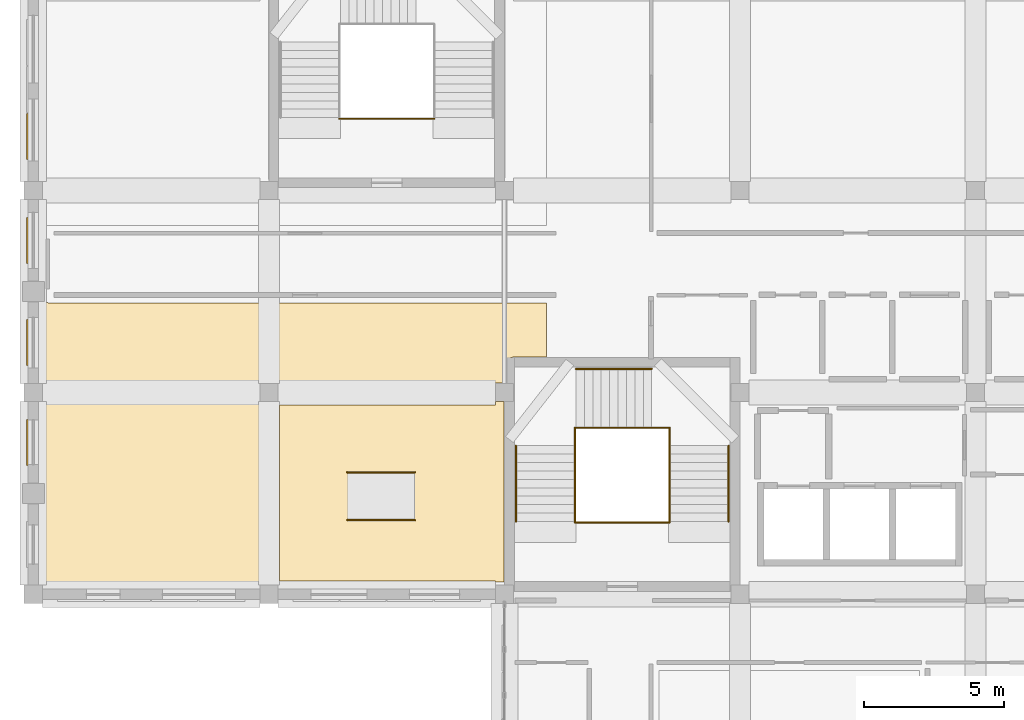
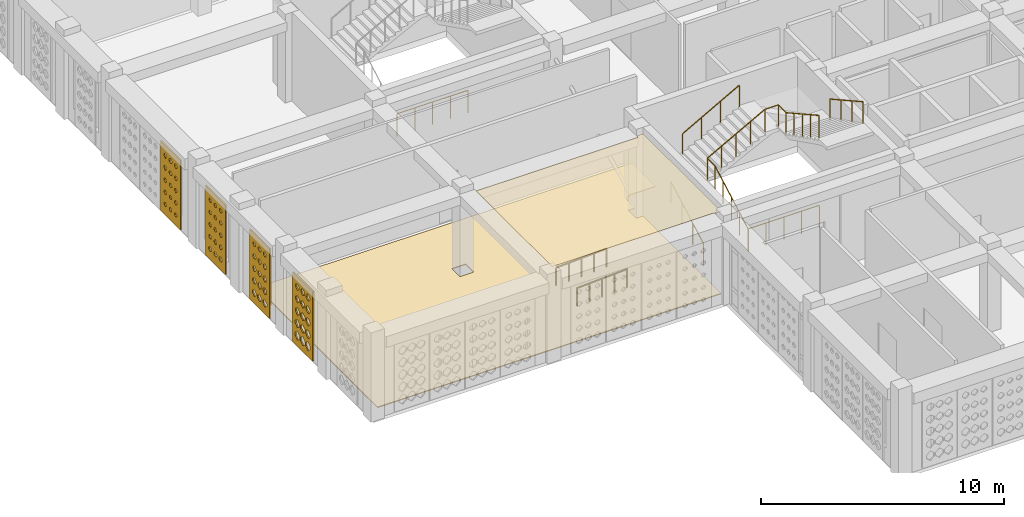
# One storey, part 55 of 79: 10 railings, 6 coverings.
"""IFC4 building model written with IfcOpenShell, lengths in metres."""

from ifc_helpers import new_model, si_unit, derived_unit, direction, frame, origin, origin_2d, place, context, subcontext, project, spatial, polyline, circle, outline, extrude, material, layer, layer_set, type_object, element, save


model = new_model("IFC4")

# Units and contexts
model_context = context("Model", 3, precision=1e-05, world=origin(), true_north=direction((0.0, 1.0)))
body_context = subcontext(model_context, "Body", "Model", "MODEL_VIEW")
ifc_project = project(units=[si_unit("LENGTHUNIT", "METRE"), si_unit("AREAUNIT", "SQUARE_METRE"), si_unit("VOLUMEUNIT", "CUBIC_METRE"), si_unit("PLANEANGLEUNIT", "RADIAN"), si_unit("MASSUNIT", "GRAM", prefix="KILO"), derived_unit("THERMALTRANSMITTANCEUNIT", [(si_unit("POWERUNIT", "WATT"), 1), (si_unit("LENGTHUNIT", "METRE"), -2), (si_unit("THERMODYNAMICTEMPERATUREUNIT", "KELVIN"), -1)])], contexts=[model_context])

# Site, building, storey
site_placement = place(None, origin())
site = spatial("IfcSite", under=ifc_project, at=site_placement, CompositionType="ELEMENT")
building_placement = place(site_placement, origin())
building = spatial("IfcBuilding", under=site, at=building_placement, Name="Veybourne Emporium", CompositionType="ELEMENT")
storey_placement = place(building_placement, frame((0.0, 0.0, 18.89990234375)))
storey = spatial("IfcBuildingStorey", under=building, at=storey_placement, Name="L04", CompositionType="ELEMENT", Elevation=18.89990234375)

# Coverings
ifc_material_1 = material(Name="Mineral Acoustic Ceiling", Category="gypsum")
ifc_layer_1 = layer(ifc_material_1, 0.02490234375)
ifc_layer_set_1 = layer_set([ifc_layer_1], Name="Mineral Acoustic Ceiling")
covering_type_1 = type_object("IfcCoveringType", Name="Ceiling_CLG-01", PredefinedType="CEILING", material=ifc_layer_set_1)
covering_1_placement = place(storey_placement, frame((0.0, 0.0, 4.155029296875)))
element("IfcCovering", 1, at=covering_1_placement, inside=storey, type_object=covering_type_1, Name="L04 coffered acoustic ceiling 03", PredefinedType="CEILING", context=body_context, shape_type="SweptSolid", body=[
    extrude(outline(polyline([(16.7900390625, 21.27001953125), (16.7900390625, 14.85009765625), (16.790283203125, 14.840087890625), (16.790283203125, 14.840087890625), (16.47509765625, 14.840087890625), (16.47509765625, 14.873046875), (8.77294921875, 14.873046875), (8.77294921875, 21.152099609375), (16.47509765625, 21.152099609375), (16.47509765625, 21.27001953125), (16.7900390625, 21.27001953125)])), origin(), (0.0, 0.0, 1.0), 0.025146484375),
])
ifc_material_2 = material(Name="Venetian Terrazzo Flooring", Category="masonry")
ifc_layer_2 = layer(ifc_material_2, 0.044921875)
ifc_layer_set_2 = layer_set([ifc_layer_2], Name="Venetian Terrazzo Flooring")
covering_type_2 = type_object("IfcCoveringType", Name="Flooring_FLR-01", PredefinedType="FLOORING", material=ifc_layer_set_2)
covering_2_placement = place(storey_placement, origin())
element("IfcCovering", 2, at=covering_2_placement, inside=storey, type_object=covering_type_2, Name="L04 floor finish 03", PredefinedType="FLOORING", context=body_context, shape_type="SweptSolid", body=[
    extrude(outline(polyline([(0.453369140625, 24.8212890625), (0.471435546875, 24.81396484375), (0.486083984375, 24.80859375), (0.5048828125, 24.802978515625), (0.520263671875, 24.799072265625), (0.53955078125, 24.795166015625), (0.554931640625, 24.79296875), (0.574462890625, 24.791015625), (0.590087890625, 24.790283203125), (0.60009765625, 24.7900390625), (18.303955078125, 24.7900390625), (18.303955078125, 22.860107421875), (17.14990234375, 22.860107421875), (17.14013671875, 22.85986328125), (17.12451171875, 22.85888671875), (17.10498046875, 22.857177734375), (17.089599609375, 22.854736328125), (17.070068359375, 22.850830078125), (17.054931640625, 22.84716796875), (17.0361328125, 22.84130859375), (17.021484375, 22.836181640625), (17.003173828125, 22.82861328125), (16.989013671875, 22.822021484375), (16.9716796875, 22.812744140625), (16.958251953125, 22.8046875), (16.94189453125, 22.793701171875), (16.92919921875, 22.7841796875), (16.914306640625, 22.77197265625), (16.902587890625, 22.761474609375), (16.888671875, 22.747314453125), (16.878173828125, 22.73583984375), (16.86572265625, 22.720703125), (16.8564453125, 22.7080078125), (16.845458984375, 22.691650390625), (16.83740234375, 22.67822265625), (16.828125, 22.660888671875), (16.8212890625, 22.646728515625), (16.81396484375, 22.628662109375), (16.80859375, 22.61376953125), (16.802978515625, 22.594970703125), (16.799072265625, 22.579833984375), (16.795166015625, 22.560546875), (16.79296875, 22.544921875), (16.791015625, 22.525390625), (16.790283203125, 22.509765625), (16.7900390625, 22.5), (16.7900390625, 21.929931640625), (16.469970703125, 21.929931640625), (16.469970703125, 21.27001953125), (16.7900390625, 21.27001953125), (16.7900390625, 14.85009765625), (16.790283203125, 14.840087890625), (16.790283203125, 14.840087890625), (0.43994140625, 14.840087890625), (0.43994140625, 24.82763671875), (0.453369140625, 24.8212890625)]), holes=[polyline([(8.070068359375, 21.929931640625), (8.070068359375, 21.27001953125), (8.72998046875, 21.27001953125), (8.72998046875, 21.929931640625), (8.070068359375, 21.929931640625)])]), origin(), (0.0, 0.0, 1.0), 0.045166015625),
])

# Railings
ifc_material_3 = material(Name="Brushed Stainless Steel", Category="steel")
railing_type_1 = type_object("IfcRailingType", Name="Guard_GR-01", PredefinedType="GUARDRAIL", material=ifc_material_3)
railing_1_placement = place(storey_placement, frame((19.31005859375, 17.0, 0.0)))
element("IfcRailing", 3, at=railing_1_placement, inside=storey, type_object=railing_type_1, Name="L04 ST-01 stair guard 1", PredefinedType="GUARDRAIL", context=body_context, shape_type="SweptSolid", body=[
    extrude(circle(Radius=0.02392578125, at=origin_2d()), frame((0.0, 0.0, 1.1259765625), z_axis=(0.0, 0.87415354758, 0.485649642493), x_axis=(-1.0, 0.0, 0.0)), (0.0, 0.0, 1.0), 3.088623046875),
    extrude(circle(Radius=0.02392578125, at=origin_2d()), frame((0.0, 2.699951171875, 2.6259765625), z_axis=(0.0, 1.0, 0.0), x_axis=(-1.0, 0.0, 0.0)), (0.0, 0.0, 1.0), 0.64013671875),
    extrude(circle(Radius=0.02099609375, at=origin_2d()), origin(), (0.0, 0.0, 1.0), 1.101806640625),
    extrude(circle(Radius=0.02099609375, at=origin_2d()), frame((0.0, 0.675048828125, 0.375)), (0.0, 0.0, 1.0), 1.101806640625),
    extrude(circle(Radius=0.02099609375, at=origin_2d()), frame((0.0, 1.35009765625, 0.75)), (0.0, 0.0, 1.0), 1.101806640625),
    extrude(circle(Radius=0.02099609375, at=origin_2d()), frame((0.0, 2.02490234375, 1.125)), (0.0, 0.0, 1.0), 1.101806640625),
    extrude(circle(Radius=0.02099609375, at=origin_2d()), frame((0.0, 2.699951171875, 1.5)), (0.0, 0.0, 1.0), 1.101806640625),
    extrude(circle(Radius=0.02099609375, at=origin_2d()), frame((0.0, 3.340087890625, 1.5)), (0.0, 0.0, 1.0), 1.101806640625),
])
railing_2_placement = place(storey_placement, frame((19.31005859375, 20.340087890625, 1.5)))
element("IfcRailing", 4, at=railing_2_placement, inside=storey, type_object=railing_type_1, Name="L04 ST-01 stair guard 2", PredefinedType="GUARDRAIL", context=body_context, shape_type="SweptSolid", body=[
    extrude(circle(Radius=0.02392578125, at=origin_2d()), frame((0.0, 0.0, 1.1259765625), z_axis=(0.87715976088, 0.0, 0.480198660861), x_axis=(0.0, 1.0, 0.0)), (0.0, 0.0, 1.0), 3.123779296875),
    extrude(circle(Radius=0.02392578125, at=origin_2d()), frame((2.739990234375, 0.0, 2.6259765625), z_axis=(1.0, 0.0, 0.0), x_axis=(0.0, 1.0, 0.0)), (0.0, 0.0, 1.0), 0.639892578125),
    extrude(circle(Radius=0.02099609375, at=origin_2d()), origin(), (0.0, 0.0, 1.0), 1.101806640625),
    extrude(circle(Radius=0.02099609375, at=origin_2d()), frame((0.68505859375, 0.0, 0.375)), (0.0, 0.0, 1.0), 1.101806640625),
    extrude(circle(Radius=0.02099609375, at=origin_2d()), frame((1.3701171875, 0.0, 0.75)), (0.0, 0.0, 1.0), 1.101806640625),
    extrude(circle(Radius=0.02099609375, at=origin_2d()), frame((2.054931640625, 0.0, 1.125)), (0.0, 0.0, 1.0), 1.101806640625),
    extrude(circle(Radius=0.02099609375, at=origin_2d()), frame((2.739990234375, 0.0, 1.5)), (0.0, 0.0, 1.0), 1.101806640625),
    extrude(circle(Radius=0.02099609375, at=origin_2d()), frame((3.3798828125, 0.0, 1.5)), (0.0, 0.0, 1.0), 1.101806640625),
])
railing_3_placement = place(storey_placement, frame((22.68994140625, 20.340087890625, 3.0)))
element("IfcRailing", 5, at=railing_3_placement, inside=storey, type_object=railing_type_1, Name="L04 ST-01 stair guard 3", PredefinedType="GUARDRAIL", context=body_context, shape_type="SweptSolid", body=[
    extrude(circle(Radius=0.02392578125, at=origin_2d()), frame((0.0, 0.0, 1.1259765625), z_axis=(0.0, -1.0, 0.0), x_axis=(1.0, 0.0, 0.0)), (0.0, 0.0, 1.0), 0.64013671875),
    extrude(circle(Radius=0.02392578125, at=origin_2d()), frame((0.0, -0.64013671875, 1.1259765625), z_axis=(0.0, -0.87415354758, 0.485649642493), x_axis=(1.0, 0.0, 0.0)), (0.0, 0.0, 1.0), 3.088623046875),
    extrude(circle(Radius=0.02099609375, at=origin_2d()), origin(), (0.0, 0.0, 1.0), 1.101806640625),
    extrude(circle(Radius=0.02099609375, at=origin_2d()), frame((0.0, -0.64013671875, 0.0)), (0.0, 0.0, 1.0), 1.101806640625),
    extrude(circle(Radius=0.02099609375, at=origin_2d()), frame((0.0, -1.315185546875, 0.375)), (0.0, 0.0, 1.0), 1.101806640625),
    extrude(circle(Radius=0.02099609375, at=origin_2d()), frame((0.0, -1.990234375, 0.75)), (0.0, 0.0, 1.0), 1.101806640625),
    extrude(circle(Radius=0.02099609375, at=origin_2d()), frame((0.0, -2.6650390625, 1.125)), (0.0, 0.0, 1.0), 1.101806640625),
    extrude(circle(Radius=0.02099609375, at=origin_2d()), frame((0.0, -3.340087890625, 1.5)), (0.0, 0.0, 1.0), 1.101806640625),
])
railing_4_placement = place(storey_placement, frame((19.31005859375, 16.9599609375, 0.0)))
element("IfcRailing", 6, at=railing_4_placement, inside=storey, type_object=railing_type_1, Name="L04 ST-01 stair guard 4", PredefinedType="GUARDRAIL", context=body_context, shape_type="SweptSolid", body=[
    extrude(circle(Radius=0.02392578125, at=origin_2d()), frame((0.0, 0.0, 1.1259765625), z_axis=(1.0, 0.0, 0.0), x_axis=(0.0, 1.0, 0.0)), (0.0, 0.0, 1.0), 3.3798828125),
    extrude(circle(Radius=0.02099609375, at=origin_2d()), origin(), (0.0, 0.0, 1.0), 1.101806640625),
    extrude(circle(Radius=0.02099609375, at=origin_2d()), frame((0.844970703125, 0.0, 0.0)), (0.0, 0.0, 1.0), 1.101806640625),
    extrude(circle(Radius=0.02099609375, at=origin_2d()), frame((1.68994140625, 0.0, 0.0)), (0.0, 0.0, 1.0), 1.101806640625),
    extrude(circle(Radius=0.02099609375, at=origin_2d()), frame((2.534912109375, 0.0, 0.0)), (0.0, 0.0, 1.0), 1.101806640625),
    extrude(circle(Radius=0.02099609375, at=origin_2d()), frame((3.3798828125, 0.0, 0.0)), (0.0, 0.0, 1.0), 1.101806640625),
])
railing_5_placement = place(storey_placement, frame((10.909912109375, 31.360107421875, 0.0)))
element("IfcRailing", 7, at=railing_5_placement, inside=storey, type_object=railing_type_1, Name="L04 ST-02 stair guard 4", PredefinedType="GUARDRAIL", context=body_context, shape_type="SweptSolid", body=[
    extrude(circle(Radius=0.02392578125, at=origin_2d()), frame((0.0, 0.0, 1.1259765625), z_axis=(1.0, 0.0, 0.0), x_axis=(0.0, 1.0, 0.0)), (0.0, 0.0, 1.0), 3.380126953125),
    extrude(circle(Radius=0.02099609375, at=origin_2d()), origin(), (0.0, 0.0, 1.0), 1.101806640625),
    extrude(circle(Radius=0.02099609375, at=origin_2d()), frame((0.844970703125, 0.0, 0.0)), (0.0, 0.0, 1.0), 1.101806640625),
    extrude(circle(Radius=0.02099609375, at=origin_2d()), frame((1.68994140625, 0.0, 0.0)), (0.0, 0.0, 1.0), 1.101806640625),
    extrude(circle(Radius=0.02099609375, at=origin_2d()), frame((2.53515625, 0.0, 0.0)), (0.0, 0.0, 1.0), 1.101806640625),
    extrude(circle(Radius=0.02099609375, at=origin_2d()), frame((3.380126953125, 0.0, 0.0)), (0.0, 0.0, 1.0), 1.101806640625),
])
railing_type_2 = type_object("IfcRailingType", Name="Handrail_HR-01", PredefinedType="HANDRAIL", material=ifc_material_3)
railing_6_placement = place(storey_placement, frame((17.2099609375, 17.0, 0.150146484375)))
element("IfcRailing", 8, at=railing_6_placement, inside=storey, type_object=railing_type_2, Name="L04 ST-01 pitch handrail 1", PredefinedType="HANDRAIL", context=body_context, shape_type="SweptSolid", body=[
    extrude(circle(Radius=0.02392578125, at=origin_2d()), frame((0.0, 0.0, 0.92578125), z_axis=(0.0, 0.87415354758, 0.485649642493), x_axis=(-1.0, 0.0, 0.0)), (0.0, 0.0, 1.0), 3.088623046875),
    extrude(circle(Radius=0.02099609375, at=origin_2d()), frame((0.0, 0.0, -0.14990234375)), (0.0, 0.0, 1.0), 1.0517578125),
    extrude(circle(Radius=0.02099609375, at=origin_2d()), frame((0.0, 0.89990234375, 0.35009765625)), (0.0, 0.0, 1.0), 1.0517578125),
    extrude(circle(Radius=0.02099609375, at=origin_2d()), frame((0.0, 1.800048828125, 0.85009765625)), (0.0, 0.0, 1.0), 1.0517578125),
    extrude(circle(Radius=0.02099609375, at=origin_2d()), frame((0.0, 2.699951171875, 1.35009765625)), (0.0, 0.0, 1.0), 1.0517578125),
])
railing_7_placement = place(storey_placement, frame((19.35009765625, 22.43994140625, 1.650146484375)))
element("IfcRailing", 9, at=railing_7_placement, inside=storey, type_object=railing_type_2, Name="L04 ST-01 pitch handrail 2", PredefinedType="HANDRAIL", context=body_context, shape_type="SweptSolid", body=[
    extrude(circle(Radius=0.02392578125, at=origin_2d()), frame((0.0, 0.0, 0.92578125), z_axis=(0.87415354758, 0.0, 0.485649642493), x_axis=(0.0, 1.0, 0.0)), (0.0, 0.0, 1.0), 3.088623046875),
    extrude(circle(Radius=0.02099609375, at=origin_2d()), frame((0.0, 0.0, -0.14990234375)), (0.0, 0.0, 1.0), 1.0517578125),
    extrude(circle(Radius=0.02099609375, at=origin_2d()), frame((0.89990234375, 0.0, 0.35009765625)), (0.0, 0.0, 1.0), 1.0517578125),
    extrude(circle(Radius=0.02099609375, at=origin_2d()), frame((1.800048828125, 0.0, 0.85009765625)), (0.0, 0.0, 1.0), 1.0517578125),
    extrude(circle(Radius=0.02099609375, at=origin_2d()), frame((2.699951171875, 0.0, 1.35009765625)), (0.0, 0.0, 1.0), 1.0517578125),
])
railing_8_placement = place(storey_placement, frame((24.7900390625, 19.699951171875, 3.150146484375)))
element("IfcRailing", 10, at=railing_8_placement, inside=storey, type_object=railing_type_2, Name="L04 ST-01 pitch handrail 3", PredefinedType="HANDRAIL", context=body_context, shape_type="SweptSolid", body=[
    extrude(circle(Radius=0.02392578125, at=origin_2d()), frame((0.0, 0.0, 0.92578125), z_axis=(0.0, -0.87415354758, 0.485649642493), x_axis=(1.0, 0.0, 0.0)), (0.0, 0.0, 1.0), 3.088623046875),
    extrude(circle(Radius=0.02099609375, at=origin_2d()), frame((0.0, 0.0, -0.14990234375)), (0.0, 0.0, 1.0), 1.0517578125),
    extrude(circle(Radius=0.02099609375, at=origin_2d()), frame((0.0, -0.89990234375, 0.35009765625)), (0.0, 0.0, 1.0), 1.0517578125),
    extrude(circle(Radius=0.02099609375, at=origin_2d()), frame((0.0, -1.800048828125, 0.85009765625)), (0.0, 0.0, 1.0), 1.0517578125),
    extrude(circle(Radius=0.02099609375, at=origin_2d()), frame((0.0, -2.699951171875, 1.35009765625)), (0.0, 0.0, 1.0), 1.0517578125),
])
for number, where, name in (
    (11, (11.199951171875, 17.050048828125, 0.0), "Ramp RMP-06 handrail 1"),
    (12, (11.199951171875, 18.75, 0.0), "Ramp RMP-06 handrail 2"),
):
    element("IfcRailing", number, at=place(storey_placement, frame(where)), inside=storey, type_object=railing_type_2, Name=name, PredefinedType="HANDRAIL", context=body_context, shape_type="SweptSolid", body=[
        extrude(circle(Radius=0.02392578125, at=origin_2d()), frame((0.0, 0.0, 0.92578125), z_axis=(0.998750057719, 0.0, 0.049983219245), x_axis=(0.0, 1.0, 0.0)), (0.0, 0.0, 1.0), 2.403076171875),
        extrude(circle(Radius=0.02099609375, at=origin_2d()), origin(), (0.0, 0.0, 1.0), 0.90185546875),
        extrude(circle(Radius=0.02099609375, at=origin_2d()), frame((0.60009765625, 0.0, 0.030029296875)), (0.0, 0.0, 1.0), 0.90185546875),
        extrude(circle(Radius=0.02099609375, at=origin_2d()), frame((1.2001953125, 0.0, 0.06005859375)), (0.0, 0.0, 1.0), 0.90185546875),
        extrude(circle(Radius=0.02099609375, at=origin_2d()), frame((1.800048828125, 0.0, 0.090087890625)), (0.0, 0.0, 1.0), 0.90185546875),
        extrude(circle(Radius=0.02099609375, at=origin_2d()), frame((2.400146484375, 0.0, 0.1201171875)), (0.0, 0.0, 1.0), 0.90185546875),
    ])

# Coverings
ifc_material_4 = material(Name="Warm-White Perforated Aluminium Screen Alloy", Category="aluminium")
ifc_layer_3 = layer(ifc_material_4, 0.06005859375)
ifc_layer_set_3 = layer_set([ifc_layer_3], Name="Warm-White Perforated Aluminium Screen Alloy")
covering_type_3 = type_object("IfcCoveringType", Name="WaveScreen_SCR-01", PredefinedType="CLADDING", material=ifc_layer_set_3)
covering_3_placement = place(storey_placement, frame((-0.248046875, 23.37744140625, 1.815185546875), z_axis=(1.0, 0.0, 0.0), x_axis=(0.0, 1.0, 0.0)))
element("IfcCovering", 13, at=covering_3_placement, inside=storey, type_object=covering_type_3, Name="L04 wave-perforated aluminium screen SCR-01 (3A.1)", PredefinedType="CLADDING", context=body_context, shape_type="SweptSolid", body=[
    extrude(outline(polyline([(-0.81982421875, -1.7548828125), (0.81982421875, -1.7548828125), (0.81982421875, 1.7548828125), (-0.81982421875, 1.7548828125), (-0.81982421875, -1.7548828125)]), holes=[polyline([(-0.433349609375, -1.045654296875), (-0.274169921875, -1.162353515625), (-0.274169921875, -1.293701171875), (-0.433349609375, -1.410400390625), (-0.592529296875, -1.293701171875), (-0.592529296875, -1.162353515625), (-0.433349609375, -1.045654296875)]), polyline([(-0.433349609375, -0.4453125), (-0.285400390625, -0.55322265625), (-0.285400390625, -0.6748046875), (-0.433349609375, -0.78271484375), (-0.581298828125, -0.6748046875), (-0.581298828125, -0.55322265625), (-0.433349609375, -0.4453125)]), polyline([(-0.433349609375, 0.155517578125), (-0.296142578125, 0.055908203125), (-0.296142578125, -0.055908203125), (-0.433349609375, -0.155517578125), (-0.570556640625, -0.055908203125), (-0.570556640625, 0.055908203125), (-0.433349609375, 0.155517578125)]), polyline([(-0.433349609375, 0.75732421875), (-0.305908203125, 0.66552734375), (-0.305908203125, 0.5625), (-0.433349609375, 0.470703125), (-0.560546875, 0.5625), (-0.560546875, 0.66552734375), (-0.433349609375, 0.75732421875)]), polyline([(-0.433349609375, 1.360595703125), (-0.314697265625, 1.27587890625), (-0.314697265625, 1.18017578125), (-0.433349609375, 1.09521484375), (-0.552001953125, 1.18017578125), (-0.552001953125, 1.27587890625), (-0.433349609375, 1.360595703125)]), polyline([(0.0, -1.052001953125), (0.154052734375, -1.16455078125), (0.154052734375, -1.29150390625), (0.0, -1.404052734375), (-0.154052734375, -1.29150390625), (-0.154052734375, -1.16455078125), (0.0, -1.052001953125)]), polyline([(0.0, -0.451416015625), (0.14306640625, -0.555419921875), (0.14306640625, -0.672607421875), (0.0, -0.776611328125), (-0.14306640625, -0.672607421875), (-0.14306640625, -0.555419921875), (0.0, -0.451416015625)]), polyline([(0.0, 0.14990234375), (0.132568359375, 0.053955078125), (0.132568359375, -0.053955078125), (0.0, -0.14990234375), (-0.132568359375, -0.053955078125), (-0.132568359375, 0.053955078125), (0.0, 0.14990234375)]), polyline([(0.0, 0.752197265625), (0.123291015625, 0.663818359375), (0.123291015625, 0.564208984375), (0.0, 0.4755859375), (-0.123291015625, 0.564208984375), (-0.123291015625, 0.663818359375), (0.0, 0.752197265625)]), polyline([(0.0, 1.3564453125), (0.114990234375, 1.2744140625), (0.114990234375, 1.181640625), (0.0, 1.099609375), (-0.114990234375, 1.181640625), (-0.114990234375, 1.2744140625), (0.0, 1.3564453125)]), polyline([(0.433349609375, -1.05810546875), (0.582275390625, -1.1669921875), (0.582275390625, -1.2890625), (0.433349609375, -1.397705078125), (0.284423828125, -1.2890625), (0.284423828125, -1.1669921875), (0.433349609375, -1.05810546875)]), polyline([(0.433349609375, -0.45751953125), (0.571533203125, -0.5576171875), (0.571533203125, -0.67041015625), (0.433349609375, -0.7705078125), (0.295166015625, -0.67041015625), (0.295166015625, -0.5576171875), (0.433349609375, -0.45751953125)]), polyline([(0.433349609375, 0.144287109375), (0.5615234375, 0.052001953125), (0.5615234375, -0.052001953125), (0.433349609375, -0.144287109375), (0.30517578125, -0.052001953125), (0.30517578125, 0.052001953125), (0.433349609375, 0.144287109375)]), polyline([(0.433349609375, 0.747802734375), (0.552734375, 0.662109375), (0.552734375, 0.56591796875), (0.433349609375, 0.480224609375), (0.31396484375, 0.56591796875), (0.31396484375, 0.662109375), (0.433349609375, 0.747802734375)]), polyline([(0.433349609375, 1.3525390625), (0.54541015625, 1.27294921875), (0.54541015625, 1.18310546875), (0.433349609375, 1.103515625), (0.3212890625, 1.18310546875), (0.3212890625, 1.27294921875), (0.433349609375, 1.3525390625)])]), origin(), (0.0, 0.0, 1.0), 0.06005859375),
])
covering_4_placement = place(storey_placement, frame((-0.248046875, 27.0224609375, 1.815185546875), z_axis=(1.0, 0.0, 0.0), x_axis=(0.0, 1.0, 0.0)))
element("IfcCovering", 14, at=covering_4_placement, inside=storey, type_object=covering_type_3, Name="L04 wave-perforated aluminium screen SCR-01 (3B.1)", PredefinedType="CLADDING", context=body_context, shape_type="SweptSolid", body=[
    extrude(outline(polyline([(-0.81982421875, -1.7548828125), (0.81982421875, -1.7548828125), (0.81982421875, 1.7548828125), (-0.81982421875, 1.7548828125), (-0.81982421875, -1.7548828125)]), holes=[polyline([(-0.433349609375, -1.093505859375), (-0.313232421875, -1.1796875), (-0.313232421875, -1.2763671875), (-0.433349609375, -1.362548828125), (-0.553466796875, -1.2763671875), (-0.553466796875, -1.1796875), (-0.433349609375, -1.093505859375)]), polyline([(-0.433349609375, -0.488525390625), (-0.32080078125, -0.56884765625), (-0.32080078125, -0.6591796875), (-0.433349609375, -0.739501953125), (-0.5458984375, -0.6591796875), (-0.5458984375, -0.56884765625), (-0.433349609375, -0.488525390625)]), polyline([(-0.433349609375, 0.1181640625), (-0.32666015625, 0.04248046875), (-0.32666015625, -0.04248046875), (-0.433349609375, -0.1181640625), (-0.5400390625, -0.04248046875), (-0.5400390625, 0.04248046875), (-0.433349609375, 0.1181640625)]), polyline([(-0.433349609375, 0.72705078125), (-0.330810546875, 0.65478515625), (-0.330810546875, 0.5732421875), (-0.433349609375, 0.5009765625), (-0.535888671875, 0.5732421875), (-0.535888671875, 0.65478515625), (-0.433349609375, 0.72705078125)]), polyline([(-0.433349609375, 1.33837890625), (-0.3330078125, 1.267822265625), (-0.3330078125, 1.188232421875), (-0.433349609375, 1.117431640625), (-0.53369140625, 1.188232421875), (-0.53369140625, 1.267822265625), (-0.433349609375, 1.33837890625)]), polyline([(0.0, -1.097900390625), (0.116455078125, -1.18115234375), (0.116455078125, -1.27490234375), (0.0, -1.358154296875), (-0.116455078125, -1.27490234375), (-0.116455078125, -1.18115234375), (0.0, -1.097900390625)]), polyline([(0.0, -0.4921875), (0.109619140625, -0.570068359375), (0.109619140625, -0.657958984375), (0.0, -0.73583984375), (-0.109619140625, -0.657958984375), (-0.109619140625, -0.570068359375), (0.0, -0.4921875)]), polyline([(0.0, 0.115478515625), (0.1044921875, 0.04150390625), (0.1044921875, -0.04150390625), (0.0, -0.115478515625), (-0.1044921875, -0.04150390625), (-0.1044921875, 0.04150390625), (0.0, 0.115478515625)]), polyline([(0.0, 0.7255859375), (0.101318359375, 0.654296875), (0.101318359375, 0.57373046875), (0.0, 0.50244140625), (-0.101318359375, 0.57373046875), (-0.101318359375, 0.654296875), (0.0, 0.7255859375)]), polyline([(0.0, 1.337890625), (0.10009765625, 1.267578125), (0.10009765625, 1.1884765625), (0.0, 1.117919921875), (-0.10009765625, 1.1884765625), (-0.10009765625, 1.267578125), (0.0, 1.337890625)]), polyline([(0.433349609375, -1.101806640625), (0.54638671875, -1.1826171875), (0.54638671875, -1.2734375), (0.433349609375, -1.354248046875), (0.320068359375, -1.2734375), (0.320068359375, -1.1826171875), (0.433349609375, -1.101806640625)]), polyline([(0.433349609375, -0.495361328125), (0.54052734375, -0.5712890625), (0.54052734375, -0.65673828125), (0.433349609375, -0.732666015625), (0.326171875, -0.65673828125), (0.326171875, -0.5712890625), (0.433349609375, -0.495361328125)]), polyline([(0.433349609375, 0.113525390625), (0.5361328125, 0.041015625), (0.5361328125, -0.041015625), (0.433349609375, -0.113525390625), (0.33056640625, -0.041015625), (0.33056640625, 0.041015625), (0.433349609375, 0.113525390625)]), polyline([(0.433349609375, 0.724609375), (0.53369140625, 0.65380859375), (0.53369140625, 0.57421875), (0.433349609375, 0.50341796875), (0.332763671875, 0.57421875), (0.332763671875, 0.65380859375), (0.433349609375, 0.724609375)]), polyline([(0.433349609375, 1.338134765625), (0.533447265625, 1.267578125), (0.533447265625, 1.1884765625), (0.433349609375, 1.117919921875), (0.333251953125, 1.1884765625), (0.333251953125, 1.267578125), (0.433349609375, 1.338134765625)])]), origin(), (0.0, 0.0, 1.0), 0.06005859375),
])
ifc_layer_4 = layer(ifc_material_4, 0.06005859375)
ifc_layer_set_4 = layer_set([ifc_layer_4], Name="Warm-White Perforated Aluminium Screen Alloy")
covering_type_4 = type_object("IfcCoveringType", Name="WaveScreen_SCR-02", PredefinedType="CLADDING", material=ifc_layer_set_4)
covering_5_placement = place(storey_placement, frame((-0.248046875, 30.719970703125, 1.815185546875), z_axis=(1.0, 0.0, 0.0), x_axis=(0.0, 1.0, 0.0)))
element("IfcCovering", 15, at=covering_5_placement, inside=storey, type_object=covering_type_4, Name="L04 wave-perforated aluminium screen SCR-02 (4.1)", PredefinedType="CLADDING", context=body_context, shape_type="SweptSolid", body=[
    extrude(outline(polyline([(-0.81982421875, -1.7548828125), (0.81982421875, -1.7548828125), (0.81982421875, 1.7548828125), (-0.81982421875, 1.7548828125), (-0.81982421875, -1.7548828125)]), holes=[polyline([(-0.433349609375, -1.1171875), (-0.332763671875, -1.188232421875), (-0.332763671875, -1.267822265625), (-0.433349609375, -1.338623046875), (-0.533935546875, -1.267822265625), (-0.533935546875, -1.188232421875), (-0.433349609375, -1.1171875)]), polyline([(-0.433349609375, -0.50390625), (-0.333251953125, -0.574462890625), (-0.333251953125, -0.653564453125), (-0.433349609375, -0.72412109375), (-0.533447265625, -0.653564453125), (-0.533447265625, -0.574462890625), (-0.433349609375, -0.50390625)]), polyline([(-0.433349609375, 0.11181640625), (-0.331787109375, 0.040283203125), (-0.331787109375, -0.040283203125), (-0.433349609375, -0.11181640625), (-0.534912109375, -0.040283203125), (-0.534912109375, 0.040283203125), (-0.433349609375, 0.11181640625)]), polyline([(-0.433349609375, 0.730224609375), (-0.328369140625, 0.65576171875), (-0.328369140625, 0.572265625), (-0.433349609375, 0.497802734375), (-0.538330078125, 0.572265625), (-0.538330078125, 0.65576171875), (-0.433349609375, 0.730224609375)]), polyline([(-0.433349609375, 1.3505859375), (-0.322998046875, 1.272216796875), (-0.322998046875, 1.183837890625), (-0.433349609375, 1.10546875), (-0.543701171875, 1.183837890625), (-0.543701171875, 1.272216796875), (-0.433349609375, 1.3505859375)]), polyline([(0.0, -1.117919921875), (0.10009765625, -1.1884765625), (0.10009765625, -1.267578125), (0.0, -1.338134765625), (-0.10009765625, -1.267578125), (-0.10009765625, -1.1884765625), (0.0, -1.117919921875)]), polyline([(0.0, -0.50341796875), (0.1005859375, -0.57421875), (0.1005859375, -0.65380859375), (0.0, -0.724609375), (-0.1005859375, -0.65380859375), (-0.1005859375, -0.57421875), (0.0, -0.50341796875)]), polyline([(0.0, 0.113525390625), (0.102783203125, 0.041015625), (0.102783203125, -0.041015625), (0.0, -0.113525390625), (-0.102783203125, -0.041015625), (-0.102783203125, 0.041015625), (0.0, 0.113525390625)]), polyline([(0.0, 0.73291015625), (0.107177734375, 0.65673828125), (0.107177734375, 0.5712890625), (0.0, 0.4951171875), (-0.107177734375, 0.5712890625), (-0.107177734375, 0.65673828125), (0.0, 0.73291015625)]), polyline([(0.0, 1.354248046875), (0.11328125, 1.2734375), (0.11328125, 1.1826171875), (0.0, 1.101806640625), (-0.11328125, 1.1826171875), (-0.11328125, 1.2734375), (0.0, 1.354248046875)]), polyline([(0.433349609375, -1.117919921875), (0.533447265625, -1.1884765625), (0.533447265625, -1.267578125), (0.433349609375, -1.337890625), (0.333251953125, -1.267578125), (0.333251953125, -1.1884765625), (0.433349609375, -1.117919921875)]), polyline([(0.433349609375, -0.502197265625), (0.53466796875, -0.57373046875), (0.53466796875, -0.654296875), (0.433349609375, -0.7255859375), (0.33203125, -0.654296875), (0.33203125, -0.57373046875), (0.433349609375, -0.502197265625)]), polyline([(0.433349609375, 0.11572265625), (0.5380859375, 0.04150390625), (0.5380859375, -0.04150390625), (0.433349609375, -0.11572265625), (0.32861328125, -0.04150390625), (0.32861328125, 0.04150390625), (0.433349609375, 0.11572265625)]), polyline([(0.433349609375, 0.73583984375), (0.543212890625, 0.657958984375), (0.543212890625, 0.570068359375), (0.433349609375, 0.4921875), (0.323486328125, 0.570068359375), (0.323486328125, 0.657958984375), (0.433349609375, 0.73583984375)]), polyline([(0.433349609375, 1.3583984375), (0.5498046875, 1.27490234375), (0.5498046875, 1.18115234375), (0.433349609375, 1.09765625), (0.316650390625, 1.18115234375), (0.316650390625, 1.27490234375), (0.433349609375, 1.3583984375)])]), origin(), (0.0, 0.0, 1.0), 0.06005859375),
])
ifc_layer_5 = layer(ifc_material_4, 0.06005859375)
ifc_layer_set_5 = layer_set([ifc_layer_5], Name="Warm-White Perforated Aluminium Screen Alloy")
covering_type_5 = type_object("IfcCoveringType", Name="WaveScreen_SCR-04", PredefinedType="CLADDING", material=ifc_layer_set_5)
covering_6_placement = place(storey_placement, frame((-0.248046875, 19.822509765625, 1.815185546875), z_axis=(1.0, 0.0, 0.0), x_axis=(0.0, 1.0, 0.0)))
element("IfcCovering", 16, at=covering_6_placement, inside=storey, type_object=covering_type_5, Name="L04 wave-perforated aluminium screen SCR-04 (2B.1)", PredefinedType="CLADDING", context=body_context, shape_type="SweptSolid", body=[
    extrude(outline(polyline([(-0.81982421875, -1.7548828125), (0.81982421875, -1.7548828125), (0.81982421875, 1.7548828125), (-0.81982421875, 1.7548828125), (-0.81982421875, -1.7548828125)]), holes=[polyline([(-0.433349609375, -0.99462890625), (-0.2470703125, -1.14404296875), (-0.2470703125, -1.31201171875), (-0.433349609375, -1.461181640625), (-0.61962890625, -1.31201171875), (-0.61962890625, -1.14404296875), (-0.433349609375, -0.99462890625)]), polyline([(-0.433349609375, -0.3935546875), (-0.2470703125, -0.53466796875), (-0.2470703125, -0.693359375), (-0.433349609375, -0.83447265625), (-0.61962890625, -0.693359375), (-0.61962890625, -0.53466796875), (-0.433349609375, -0.3935546875)]), polyline([(-0.433349609375, 0.206787109375), (-0.254150390625, 0.074462890625), (-0.254150390625, -0.074462890625), (-0.433349609375, -0.206787109375), (-0.612548828125, -0.074462890625), (-0.612548828125, 0.074462890625), (-0.433349609375, 0.206787109375)]), polyline([(-0.433349609375, 0.806640625), (-0.265625, 0.683349609375), (-0.265625, 0.544677734375), (-0.433349609375, 0.42138671875), (-0.60107421875, 0.544677734375), (-0.60107421875, 0.683349609375), (-0.433349609375, 0.806640625)]), polyline([(-0.433349609375, 1.406494140625), (-0.27734375, 1.292236328125), (-0.27734375, 1.163818359375), (-0.433349609375, 1.049560546875), (-0.58935546875, 1.163818359375), (-0.58935546875, 1.292236328125), (-0.433349609375, 1.406494140625)]), polyline([(0.0, -1.00048828125), (0.186279296875, -1.14599609375), (0.186279296875, -1.309814453125), (0.0, -1.45556640625), (-0.186279296875, -1.309814453125), (-0.186279296875, -1.14599609375), (0.0, -1.00048828125)]), polyline([(0.0, -0.399658203125), (0.185302734375, -0.536865234375), (0.185302734375, -0.691162109375), (0.0, -0.828369140625), (-0.185302734375, -0.691162109375), (-0.185302734375, -0.536865234375), (0.0, -0.399658203125)]), polyline([(0.0, 0.200439453125), (0.174072265625, 0.072021484375), (0.174072265625, -0.072021484375), (0.0, -0.200439453125), (-0.174072265625, -0.072021484375), (-0.174072265625, 0.072021484375), (0.0, 0.200439453125)]), polyline([(0.0, 0.80029296875), (0.162353515625, 0.680908203125), (0.162353515625, 0.547119140625), (0.0, 0.427734375), (-0.162353515625, 0.547119140625), (-0.162353515625, 0.680908203125), (0.0, 0.80029296875)]), polyline([(0.0, 1.400146484375), (0.15087890625, 1.2900390625), (0.15087890625, 1.166015625), (0.0, 1.055908203125), (-0.15087890625, 1.166015625), (-0.15087890625, 1.2900390625), (0.0, 1.400146484375)]), polyline([(0.433349609375, -1.00634765625), (0.61962890625, -1.148193359375), (0.61962890625, -1.307861328125), (0.433349609375, -1.44970703125), (0.2470703125, -1.307861328125), (0.2470703125, -1.148193359375), (0.433349609375, -1.00634765625)]), polyline([(0.433349609375, -0.406005859375), (0.613525390625, -0.5390625), (0.613525390625, -0.68896484375), (0.433349609375, -0.822021484375), (0.253173828125, -0.68896484375), (0.253173828125, -0.5390625), (0.433349609375, -0.406005859375)]), polyline([(0.433349609375, 0.194091796875), (0.60205078125, 0.06982421875), (0.60205078125, -0.06982421875), (0.433349609375, -0.194091796875), (0.2646484375, -0.06982421875), (0.2646484375, 0.06982421875), (0.433349609375, 0.194091796875)]), polyline([(0.433349609375, 0.793701171875), (0.590576171875, 0.6787109375), (0.590576171875, 0.54931640625), (0.433349609375, 0.43408203125), (0.276123046875, 0.54931640625), (0.276123046875, 0.6787109375), (0.433349609375, 0.793701171875)]), polyline([(0.433349609375, 1.39404296875), (0.5791015625, 1.287841796875), (0.5791015625, 1.168212890625), (0.433349609375, 1.06201171875), (0.28759765625, 1.168212890625), (0.28759765625, 1.287841796875), (0.433349609375, 1.39404296875)])]), origin(), (0.0, 0.0, 1.0), 0.06005859375),
])

save(model, "model.ifc")
